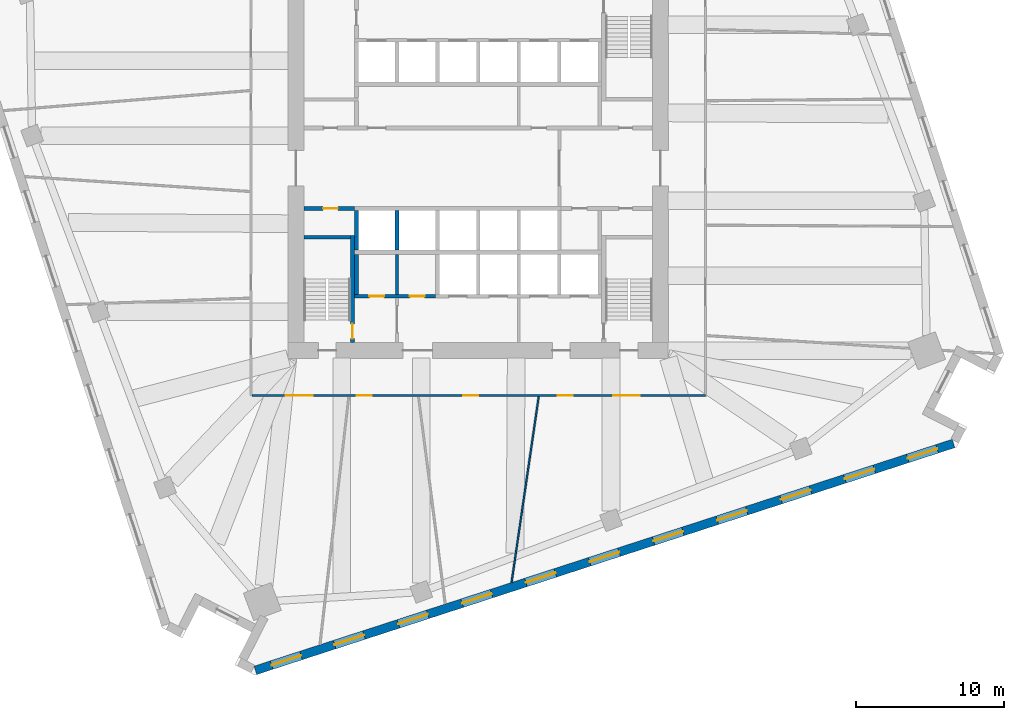
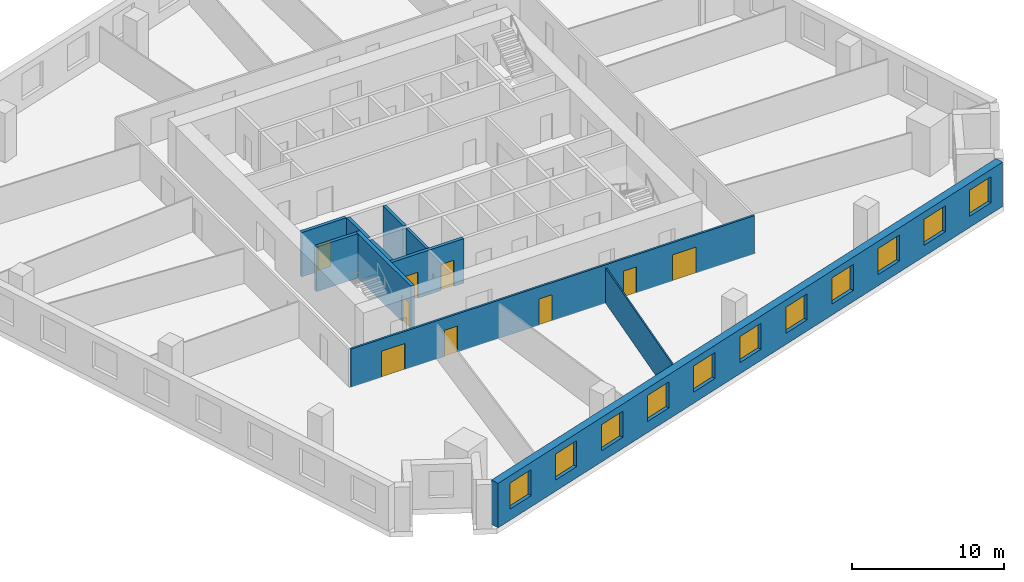
# One storey, part 6 of 12: 11 walls, 11 windows, 9 doors, 20 openings.
"""IFC4 building model written with IfcOpenShell, lengths in metres."""

from ifc_helpers import new_model, si_unit, direction, frame, frame_2d, origin, place, context, subcontext, project, spatial, rectangle, extrude, material, layer, layer_set, type_object, element, fill, save


model = new_model("IFC4")

# Units and contexts
model_context = context("Model", 3, precision=1e-05, world=origin(), true_north=direction((0.0, 1.0)))
body_context = subcontext(model_context, "Body", "Model", "MODEL_VIEW")
ifc_project = project(units=[si_unit("LENGTHUNIT", "METRE"), si_unit("AREAUNIT", "SQUARE_METRE"), si_unit("VOLUMEUNIT", "CUBIC_METRE"), si_unit("PLANEANGLEUNIT", "RADIAN"), si_unit("MASSUNIT", "GRAM", prefix="KILO")], contexts=[model_context])

# Site, building, storey
site_placement = place(None, origin())
site = spatial("IfcSite", under=ifc_project, at=site_placement, CompositionType="ELEMENT")
building_placement = place(site_placement, origin())
building = spatial("IfcBuilding", under=site, at=building_placement, Name="Dilmun Exchange Tower", CompositionType="ELEMENT")
storey_placement = place(building_placement, frame((0.0, 0.0, 98.10009765625)))
storey = spatial("IfcBuildingStorey", under=building, at=storey_placement, Name="L22", CompositionType="ELEMENT", Elevation=98.10009765625)

# Wall
ifc_material_1 = material(Name="Concrete C40/50", Category="concrete")
ifc_layer_1 = layer(ifc_material_1, 0.199951171875)
ifc_layer_set_1 = layer_set([ifc_layer_1], Name="Concrete C40/50")
wall_type_1 = type_object("IfcWallType", Name="Core partition wall 200", PredefinedType="PARTITIONING", material=ifc_layer_set_1)
wall_1_placement = place(storey_placement, frame((-5.5, -8.544921875, 0.0), z_axis=(0.0, 0.0, 1.0), x_axis=(0.0, 1.0, 0.0)))
element("IfcWall", 1, at=wall_1_placement, inside=storey, type_object=wall_type_1, Name="L22 core partition wall 05", PredefinedType="PARTITIONING", context=body_context, shape_type="SweptSolid", body=[
    extrude(rectangle(XDim=2.68994140625, YDim=0.199951171875, at=frame_2d((1.344970703125, 0.0))), origin(), (0.0, 0.0, 1.0), 3.579833984375),
])

# Wall, openings, doors
ifc_layer_2 = layer(ifc_material_1, 0.25)
ifc_layer_set_2 = layer_set([ifc_layer_2], Name="Concrete C40/50")
wall_type_2 = type_object("IfcWallType", Name="Core partition wall 250", PredefinedType="PARTITIONING", material=ifc_layer_set_2)
wall_2_placement = place(storey_placement, frame((-8.3701171875, -8.675048828125, 0.0), z_axis=(0.0, 0.0, 1.0), x_axis=(1.0, 0.0, 0.0)))
wall_2 = element("IfcWall", 2, at=wall_2_placement, inside=storey, type_object=wall_type_2, Name="L22 core partition wall 03", PredefinedType="PARTITIONING", context=body_context, shape_type="SweptSolid", body=[
    extrude(rectangle(XDim=5.490234375, YDim=0.25, at=frame_2d((2.7451171875, 0.0))), origin(), (0.0, 0.0, 1.0), 3.579833984375),
])
opening_1_placement = place(wall_2_placement, frame((0.9951171875, 0.0, 0.0)))
opening_1 = element("IfcOpeningElement", 3, at=opening_1_placement, cuts=wall_2, Name="Opening CD4", PredefinedType="OPENING", context=body_context, shape_type="SweptSolid", body=[
    extrude(rectangle(XDim=1.0, YDim=2.10009765625, at=frame_2d((0.5, 1.050048828125))), frame((0.0, 0.135009765625, 0.0), z_axis=(0.0, -1.0, 0.0), x_axis=(1.0, 0.0, 0.0)), (0.0, 0.0, 1.0), 0.27001953125),
])
opening_2_placement = place(wall_2_placement, frame((3.7451171875, 0.0, 0.0)))
opening_2 = element("IfcOpeningElement", 4, at=opening_2_placement, cuts=wall_2, Name="Opening CD4", PredefinedType="OPENING", context=body_context, shape_type="SweptSolid", body=[
    extrude(rectangle(XDim=1.0, YDim=2.10009765625, at=frame_2d((0.5, 1.050048828125))), frame((0.0, 0.135009765625, 0.0), z_axis=(0.0, -1.0, 0.0), x_axis=(1.0, 0.0, 0.0)), (0.0, 0.0, 1.0), 0.27001953125),
])
ifc_material_2 = material(Name="Fire-rated steel door set", Category="steel")
door_type_1 = type_object("IfcDoorType", Name="Core room door 1000x2100", OperationType="SINGLE_SWING_LEFT", PredefinedType="DOOR", material=ifc_material_2)
door_1_placement = place(opening_1_placement, origin())
door_1 = element("IfcDoor", 5, at=door_1_placement, inside=storey, type_object=door_type_1, Name="L22 door Male WC", OperationType="SINGLE_SWING_LEFT", OverallHeight=2.10009765625, OverallWidth=1.0, PredefinedType="DOOR", context=body_context, shape_type="SweptSolid", body=[
    extrude(rectangle(XDim=1.0, YDim=2.10009765625, at=frame_2d((0.5, 1.050048828125))), frame((0.0, 0.02490234375, 0.0), z_axis=(0.0, -1.0, 0.0), x_axis=(1.0, 0.0, 0.0)), (0.0, 0.0, 1.0), 0.050048828125),
])
fill(opening_1, door_1)
door_2_placement = place(opening_2_placement, origin())
door_2 = element("IfcDoor", 6, at=door_2_placement, inside=storey, type_object=door_type_1, Name="L22 door Female WC", OperationType="SINGLE_SWING_LEFT", OverallHeight=2.10009765625, OverallWidth=1.0, PredefinedType="DOOR", context=body_context, shape_type="SweptSolid", body=[
    extrude(rectangle(XDim=1.0, YDim=2.10009765625, at=frame_2d((0.5, 1.050048828125))), frame((0.0, 0.02490234375, 0.0), z_axis=(0.0, -1.0, 0.0), x_axis=(1.0, 0.0, 0.0)), (0.0, 0.0, 1.0), 0.050048828125),
])
fill(opening_2, door_2)

# Wall
wall_3_placement = place(storey_placement, frame((-8.25, -8.544921875, 0.0), z_axis=(0.0, 0.0, 1.0), x_axis=(0.0, 1.0, 0.0)))
element("IfcWall", 7, at=wall_3_placement, inside=storey, type_object=wall_type_2, Name="L22 core partition wall 04", PredefinedType="PARTITIONING", context=body_context, shape_type="SweptSolid", body=[
    extrude(rectangle(XDim=2.68994140625, YDim=0.25, at=frame_2d((1.344970703125, 0.0))), origin(), (0.0, 0.0, 1.0), 3.579833984375),
])

# Wall, opening, door
wall_4_placement = place(storey_placement, frame((-11.794921875, -2.72509765625, 0.0), z_axis=(0.0, 0.0, 1.0), x_axis=(1.0, 0.0, 0.0)))
wall_4 = element("IfcWall", 8, at=wall_4_placement, inside=storey, type_object=wall_type_2, Name="L22 core partition wall 07", PredefinedType="PARTITIONING", context=body_context, shape_type="SweptSolid", body=[
    extrude(rectangle(XDim=3.4150390625, YDim=0.25, at=frame_2d((1.70751953125, 0.0))), origin(), (0.0, 0.0, 1.0), 3.579833984375),
])
opening_3_placement = place(wall_4_placement, frame((1.294921875, 0.0, 0.0)))
opening_3 = element("IfcOpeningElement", 9, at=opening_3_placement, cuts=wall_4, Name="Opening CD4", PredefinedType="OPENING", context=body_context, shape_type="SweptSolid", body=[
    extrude(rectangle(XDim=1.0, YDim=2.10009765625, at=frame_2d((0.5, 1.050048828125))), frame((0.0, 0.135009765625, 0.0), z_axis=(0.0, -1.0, 0.0), x_axis=(1.0, 0.0, 0.0)), (0.0, 0.0, 1.0), 0.27001953125),
])
door_3_placement = place(opening_3_placement, origin())
door_3 = element("IfcDoor", 10, at=door_3_placement, inside=storey, type_object=door_type_1, Name="L22 door Accessible WC", OperationType="SINGLE_SWING_LEFT", OverallHeight=2.10009765625, OverallWidth=1.0, PredefinedType="DOOR", context=body_context, shape_type="SweptSolid", body=[
    extrude(rectangle(XDim=1.0, YDim=2.10009765625, at=frame_2d((0.5, 1.050048828125))), frame((0.0, 0.02490234375, 0.0), z_axis=(0.0, -1.0, 0.0), x_axis=(1.0, 0.0, 0.0)), (0.0, 0.0, 1.0), 0.050048828125),
])
fill(opening_3, door_3)

# Wall, openings, doors
ifc_material_3 = material(Name="Corridor wall 150")
ifc_layer_3 = layer(ifc_material_3, 0.14990234375)
ifc_layer_set_3 = layer_set([ifc_layer_3], Name="Corridor wall 150")
wall_type_3 = type_object("IfcWallType", Name="Corridor wall 150", PredefinedType="PARTITIONING", material=ifc_layer_set_3)
wall_5_placement = place(storey_placement, frame((-15.324951171875, -15.39990234375, 0.0), z_axis=(0.0, 0.0, 1.0), x_axis=(1.0, 0.0, 0.0)))
wall_5 = element("IfcWall", 11, at=wall_5_placement, inside=storey, type_object=wall_type_3, Name="Corridor wall", PredefinedType="PARTITIONING", context=body_context, shape_type="SweptSolid", body=[
    extrude(rectangle(XDim=30.724853515625, YDim=0.14990234375, at=frame_2d((15.3623046875, 0.0))), origin(), (0.0, 0.0, 1.0), 3.079833984375),
])
opening_4_placement = place(wall_5_placement, frame((2.300048828125, 0.0, 0.0)))
opening_4 = element("IfcOpeningElement", 12, at=opening_4_placement, cuts=wall_5, Name="Opening TF20-D06", PredefinedType="OPENING", context=body_context, shape_type="SweptSolid", body=[
    extrude(rectangle(XDim=1.800048828125, YDim=2.10009765625, at=frame_2d((0.89990234375, 1.050048828125))), frame((0.0, 0.0849609375, 0.0), z_axis=(0.0, -1.0, 0.0), x_axis=(1.0, 0.0, 0.0)), (0.0, 0.0, 1.0), 0.169921875),
])
opening_5_placement = place(wall_5_placement, frame((7.10888671875, 0.0, 0.0)))
opening_5 = element("IfcOpeningElement", 13, at=opening_5_placement, cuts=wall_5, Name="Opening TF20-D08", PredefinedType="OPENING", context=body_context, shape_type="SweptSolid", body=[
    extrude(rectangle(XDim=1.0, YDim=2.10009765625, at=frame_2d((0.5, 1.050048828125))), frame((0.0, 0.0849609375, 0.0), z_axis=(0.0, -1.0, 0.0), x_axis=(1.0, 0.0, 0.0)), (0.0, 0.0, 1.0), 0.169921875),
])
opening_6_placement = place(wall_5_placement, frame((14.3203125, 0.0, 0.0)))
opening_6 = element("IfcOpeningElement", 14, at=opening_6_placement, cuts=wall_5, Name="Opening TF20-D11", PredefinedType="OPENING", context=body_context, shape_type="SweptSolid", body=[
    extrude(rectangle(XDim=1.0, YDim=2.10009765625, at=frame_2d((0.5, 1.050048828125))), frame((0.0, 0.0849609375, 0.0), z_axis=(0.0, -1.0, 0.0), x_axis=(1.0, 0.0, 0.0)), (0.0, 0.0, 1.0), 0.169921875),
])
opening_7_placement = place(wall_5_placement, frame((24.48486328125, 0.0, 0.0)))
opening_7 = element("IfcOpeningElement", 15, at=opening_7_placement, cuts=wall_5, Name="Opening TF20-D13", PredefinedType="OPENING", context=body_context, shape_type="SweptSolid", body=[
    extrude(rectangle(XDim=1.800048828125, YDim=2.10009765625, at=frame_2d((0.89990234375, 1.050048828125))), frame((0.0, 0.0849609375, 0.0), z_axis=(0.0, -1.0, 0.0), x_axis=(1.0, 0.0, 0.0)), (0.0, 0.0, 1.0), 0.169921875),
])
opening_8_placement = place(wall_5_placement, frame((20.73486328125, 0.0, 0.0)))
opening_8 = element("IfcOpeningElement", 16, at=opening_8_placement, cuts=wall_5, Name="Opening TF20-D14", PredefinedType="OPENING", context=body_context, shape_type="SweptSolid", body=[
    extrude(rectangle(XDim=1.0, YDim=2.10009765625, at=frame_2d((0.5, 1.050048828125))), frame((0.0, 0.0849609375, 0.0), z_axis=(0.0, -1.0, 0.0), x_axis=(1.0, 0.0, 0.0)), (0.0, 0.0, 1.0), 0.169921875),
])
ifc_material_4 = material(Name="Fire door 1000 x 2100")
door_type_2 = type_object("IfcDoorType", Name="Fire door 1000 x 2100", OperationType="NOTDEFINED", PredefinedType="DOOR", material=ifc_material_4)
door_4_placement = place(opening_5_placement, frame((1.0, 0.0, 0.0), z_axis=(0.0, 0.0, 1.0), x_axis=(-1.0, 0.0, 0.0)))
door_4 = element("IfcDoor", 17, at=door_4_placement, inside=storey, type_object=door_type_2, Name="Door TF20-D08", OperationType="SINGLE_SWING_LEFT", OverallHeight=2.10009765625, OverallWidth=1.0, PredefinedType="DOOR", context=body_context, shape_type="SweptSolid", body=[
    extrude(rectangle(XDim=1.0, YDim=2.10009765625, at=frame_2d((0.5, 1.050048828125))), frame((0.0, 0.02490234375, 0.0), z_axis=(0.0, -1.0, 0.0), x_axis=(1.0, 0.0, 0.0)), (0.0, 0.0, 1.0), 0.050048828125),
])
fill(opening_5, door_4)
door_5_placement = place(opening_6_placement, frame((1.0, 0.0, 0.0), z_axis=(0.0, 0.0, 1.0), x_axis=(-1.0, 0.0, 0.0)))
door_5 = element("IfcDoor", 18, at=door_5_placement, inside=storey, type_object=door_type_2, Name="Door TF20-D11", OperationType="SINGLE_SWING_LEFT", OverallHeight=2.10009765625, OverallWidth=1.0, PredefinedType="DOOR", context=body_context, shape_type="SweptSolid", body=[
    extrude(rectangle(XDim=1.0, YDim=2.10009765625, at=frame_2d((0.5, 1.050048828125))), frame((0.0, 0.02490234375, 0.0), z_axis=(0.0, -1.0, 0.0), x_axis=(1.0, 0.0, 0.0)), (0.0, 0.0, 1.0), 0.050048828125),
])
fill(opening_6, door_5)
door_6_placement = place(opening_8_placement, frame((1.0, 0.0, 0.0), z_axis=(0.0, 0.0, 1.0), x_axis=(-1.0, 0.0, 0.0)))
door_6 = element("IfcDoor", 19, at=door_6_placement, inside=storey, type_object=door_type_2, Name="Door TF20-D14", OperationType="SINGLE_SWING_LEFT", OverallHeight=2.10009765625, OverallWidth=1.0, PredefinedType="DOOR", context=body_context, shape_type="SweptSolid", body=[
    extrude(rectangle(XDim=1.0, YDim=2.10009765625, at=frame_2d((0.5, 1.050048828125))), frame((0.0, 0.02490234375, 0.0), z_axis=(0.0, -1.0, 0.0), x_axis=(1.0, 0.0, 0.0)), (0.0, 0.0, 1.0), 0.050048828125),
])
fill(opening_8, door_6)
ifc_material_5 = material(Name="Fire door pair 1800 x 2100")
door_type_3 = type_object("IfcDoorType", Name="Fire door pair 1800 x 2100", OperationType="NOTDEFINED", PredefinedType="DOOR", material=ifc_material_5)
door_7_placement = place(opening_4_placement, frame((1.800048828125, 0.0, 0.0), z_axis=(0.0, 0.0, 1.0), x_axis=(-1.0, 0.0, 0.0)))
door_7 = element("IfcDoor", 20, at=door_7_placement, inside=storey, type_object=door_type_3, Name="Door TF20-D06", OperationType="DOUBLE_DOOR_SINGLE_SWING", OverallHeight=2.10009765625, OverallWidth=1.800048828125, PredefinedType="DOOR", context=body_context, shape_type="SweptSolid", body=[
    extrude(rectangle(XDim=1.800048828125, YDim=2.10009765625, at=frame_2d((0.89990234375, 1.050048828125))), frame((0.0, 0.02490234375, 0.0), z_axis=(0.0, -1.0, 0.0), x_axis=(1.0, 0.0, 0.0)), (0.0, 0.0, 1.0), 0.050048828125),
])
fill(opening_4, door_7)
door_8_placement = place(opening_7_placement, frame((1.800048828125, 0.0, 0.0), z_axis=(0.0, 0.0, 1.0), x_axis=(-1.0, 0.0, 0.0)))
door_8 = element("IfcDoor", 21, at=door_8_placement, inside=storey, type_object=door_type_3, Name="Door TF20-D13", OperationType="DOUBLE_DOOR_SINGLE_SWING", OverallHeight=2.10009765625, OverallWidth=1.800048828125, PredefinedType="DOOR", context=body_context, shape_type="SweptSolid", body=[
    extrude(rectangle(XDim=1.800048828125, YDim=2.10009765625, at=frame_2d((0.89990234375, 1.050048828125))), frame((0.0, 0.02490234375, 0.0), z_axis=(0.0, -1.0, 0.0), x_axis=(1.0, 0.0, 0.0)), (0.0, 0.0, 1.0), 0.050048828125),
])
fill(opening_7, door_8)

# Walls
ifc_layer_4 = layer(ifc_material_1, 0.25)
ifc_layer_set_4 = layer_set([ifc_layer_4], Name="Concrete C40/50")
wall_type_4 = type_object("IfcWallType", Name="Lift shaft wall 250", PredefinedType="SOLIDWALL", material=ifc_layer_set_4)
for number, where, z_axis, x_axis, name in (
    (22, (-8.25, -5.550048828125, 0.0), (0.0, 0.0, 1.0), (0.0, 1.0, 0.0), "L22 lift shaft divider S10"),
    (23, (-5.5, -5.550048828125, 0.0), (0.0, 0.0, 1.0), (0.0, 1.0, 0.0), "L22 lift shaft divider S11"),
):
    element("IfcWall", number, at=place(storey_placement, frame(where, z_axis=z_axis, x_axis=x_axis)), inside=storey, type_object=wall_type_4, Name=name, PredefinedType="SOLIDWALL", context=body_context, shape_type="SweptSolid", body=[
        extrude(rectangle(XDim=2.699951171875, YDim=0.25, at=frame_2d((1.35009765625, 0.0))), origin(), (0.0, 0.0, 1.0), 3.579833984375),
    ])
ifc_material_6 = material(Name="Partition 100")
ifc_layer_5 = layer(ifc_material_6, 0.10009765625)
ifc_layer_set_5 = layer_set([ifc_layer_5], Name="Partition 100")
wall_type_5 = type_object("IfcWallType", Name="Partition 100", PredefinedType="PARTITIONING", material=ifc_layer_set_5)
wall_6_placement = place(storey_placement, frame((2.26416015625, -28.072265625, 0.0), z_axis=(0.0, 0.0, 1.0), x_axis=(0.144598494154, 0.989490412025, 0.0)))
element("IfcWall", 24, at=wall_6_placement, inside=storey, type_object=wall_type_5, Name="Partition", PredefinedType="PARTITIONING", context=body_context, shape_type="SweptSolid", body=[
    extrude(rectangle(XDim=12.723876953125, YDim=0.10009765625, at=frame_2d((6.36181640625, 0.0))), origin(), (0.0, 0.0, 1.0), 2.829833984375),
])

# Wall, openings, windows
ifc_material_7 = material(Name="Precast concrete C50/60", Category="concrete")
ifc_layer_6 = layer(ifc_material_7, 0.60009765625)
ifc_layer_set_6 = layer_set([ifc_layer_6], Name="Precast concrete C50/60")
wall_type_6 = type_object("IfcWallType", Name="Precast stone-clad wall 600", PredefinedType="STANDARD", material=ifc_layer_set_6)
wall_7_placement = place(storey_placement, frame((-15.098388671875, -34.03125, 0.0), z_axis=(0.0, 0.0, 1.0), x_axis=(0.951056568917, 0.309016832421, 0.0)))
wall_7 = element("IfcWall", 25, at=wall_7_placement, inside=storey, type_object=wall_type_6, Name="Facade wall L22-15", PredefinedType="STANDARD", context=body_context, shape_type="SweptSolid", body=[
    extrude(rectangle(XDim=49.75146484375, YDim=0.60009765625, at=frame_2d((24.875732421875, 0.0))), origin(), (0.0, 0.0, 1.0), 3.579833984375),
])
opening_9_placement = place(wall_7_placement, frame((1.16064453125, 0.0, 0.89990234375)))
opening_9 = element("IfcOpeningElement", 26, at=opening_9_placement, cuts=wall_7, Name="Opening W210-210", PredefinedType="OPENING", context=body_context, shape_type="SweptSolid", body=[
    extrude(rectangle(XDim=2.10009765625, YDim=2.10009765625, at=frame_2d((1.050048828125, 1.050048828125))), frame((0.0, 0.31005859375, 0.0), z_axis=(0.0, -1.0, 0.0), x_axis=(1.0, 0.0, 0.0)), (0.0, 0.0, 1.0), 0.6201171875),
])
opening_10_placement = place(wall_7_placement, frame((5.643798828125, 0.0, 0.89990234375)))
opening_10 = element("IfcOpeningElement", 27, at=opening_10_placement, cuts=wall_7, Name="Opening W210-210", PredefinedType="OPENING", context=body_context, shape_type="SweptSolid", body=[
    extrude(rectangle(XDim=2.10009765625, YDim=2.10009765625, at=frame_2d((1.050048828125, 1.050048828125))), frame((0.0, 0.31005859375, 0.0), z_axis=(0.0, -1.0, 0.0), x_axis=(1.0, 0.0, 0.0)), (0.0, 0.0, 1.0), 0.6201171875),
])
opening_11_placement = place(wall_7_placement, frame((10.189453125, 0.0, 0.89990234375)))
opening_11 = element("IfcOpeningElement", 28, at=opening_11_placement, cuts=wall_7, Name="Opening W210-210", PredefinedType="OPENING", context=body_context, shape_type="SweptSolid", body=[
    extrude(rectangle(XDim=2.10009765625, YDim=2.10009765625, at=frame_2d((1.050048828125, 1.050048828125))), frame((0.0, 0.31005859375, 0.0), z_axis=(0.0, -1.0, 0.0), x_axis=(1.0, 0.0, 0.0)), (0.0, 0.0, 1.0), 0.6201171875),
])
opening_12_placement = place(wall_7_placement, frame((14.73486328125, 0.0, 0.89990234375)))
opening_12 = element("IfcOpeningElement", 29, at=opening_12_placement, cuts=wall_7, Name="Opening W210-210", PredefinedType="OPENING", context=body_context, shape_type="SweptSolid", body=[
    extrude(rectangle(XDim=2.10009765625, YDim=2.10009765625, at=frame_2d((1.050048828125, 1.050048828125))), frame((0.0, 0.31005859375, 0.0), z_axis=(0.0, -1.0, 0.0), x_axis=(1.0, 0.0, 0.0)), (0.0, 0.0, 1.0), 0.6201171875),
])
opening_13_placement = place(wall_7_placement, frame((19.2802734375, 0.0, 0.89990234375)))
opening_13 = element("IfcOpeningElement", 30, at=opening_13_placement, cuts=wall_7, Name="Opening W210-210", PredefinedType="OPENING", context=body_context, shape_type="SweptSolid", body=[
    extrude(rectangle(XDim=2.10009765625, YDim=2.10009765625, at=frame_2d((1.050048828125, 1.050048828125))), frame((0.0, 0.31005859375, 0.0), z_axis=(0.0, -1.0, 0.0), x_axis=(1.0, 0.0, 0.0)), (0.0, 0.0, 1.0), 0.6201171875),
])
opening_14_placement = place(wall_7_placement, frame((23.82568359375, 0.0, 0.89990234375)))
opening_14 = element("IfcOpeningElement", 31, at=opening_14_placement, cuts=wall_7, Name="Opening W210-210", PredefinedType="OPENING", context=body_context, shape_type="SweptSolid", body=[
    extrude(rectangle(XDim=2.10009765625, YDim=2.10009765625, at=frame_2d((1.050048828125, 1.050048828125))), frame((0.0, 0.31005859375, 0.0), z_axis=(0.0, -1.0, 0.0), x_axis=(1.0, 0.0, 0.0)), (0.0, 0.0, 1.0), 0.6201171875),
])
opening_15_placement = place(wall_7_placement, frame((28.37109375, 0.0, 0.89990234375)))
opening_15 = element("IfcOpeningElement", 32, at=opening_15_placement, cuts=wall_7, Name="Opening W210-210", PredefinedType="OPENING", context=body_context, shape_type="SweptSolid", body=[
    extrude(rectangle(XDim=2.10009765625, YDim=2.10009765625, at=frame_2d((1.050048828125, 1.050048828125))), frame((0.0, 0.31005859375, 0.0), z_axis=(0.0, -1.0, 0.0), x_axis=(1.0, 0.0, 0.0)), (0.0, 0.0, 1.0), 0.6201171875),
])
opening_16_placement = place(wall_7_placement, frame((32.91650390625, 0.0, 0.89990234375)))
opening_16 = element("IfcOpeningElement", 33, at=opening_16_placement, cuts=wall_7, Name="Opening W210-210", PredefinedType="OPENING", context=body_context, shape_type="SweptSolid", body=[
    extrude(rectangle(XDim=2.10009765625, YDim=2.10009765625, at=frame_2d((1.050048828125, 1.050048828125))), frame((0.0, 0.31005859375, 0.0), z_axis=(0.0, -1.0, 0.0), x_axis=(1.0, 0.0, 0.0)), (0.0, 0.0, 1.0), 0.6201171875),
])
opening_17_placement = place(wall_7_placement, frame((37.462158203125, 0.0, 0.89990234375)))
opening_17 = element("IfcOpeningElement", 34, at=opening_17_placement, cuts=wall_7, Name="Opening W210-210", PredefinedType="OPENING", context=body_context, shape_type="SweptSolid", body=[
    extrude(rectangle(XDim=2.10009765625, YDim=2.10009765625, at=frame_2d((1.050048828125, 1.050048828125))), frame((0.0, 0.31005859375, 0.0), z_axis=(0.0, -1.0, 0.0), x_axis=(1.0, 0.0, 0.0)), (0.0, 0.0, 1.0), 0.6201171875),
])
opening_18_placement = place(wall_7_placement, frame((42.007568359375, 0.0, 0.89990234375)))
opening_18 = element("IfcOpeningElement", 35, at=opening_18_placement, cuts=wall_7, Name="Opening W210-210", PredefinedType="OPENING", context=body_context, shape_type="SweptSolid", body=[
    extrude(rectangle(XDim=2.10009765625, YDim=2.10009765625, at=frame_2d((1.050048828125, 1.050048828125))), frame((0.0, 0.31005859375, 0.0), z_axis=(0.0, -1.0, 0.0), x_axis=(1.0, 0.0, 0.0)), (0.0, 0.0, 1.0), 0.6201171875),
])
opening_19_placement = place(wall_7_placement, frame((46.490966796875, 0.0, 0.89990234375)))
opening_19 = element("IfcOpeningElement", 36, at=opening_19_placement, cuts=wall_7, Name="Opening W210-210", PredefinedType="OPENING", context=body_context, shape_type="SweptSolid", body=[
    extrude(rectangle(XDim=2.10009765625, YDim=2.10009765625, at=frame_2d((1.050048828125, 1.050048828125))), frame((0.0, 0.31005859375, 0.0), z_axis=(0.0, -1.0, 0.0), x_axis=(1.0, 0.0, 0.0)), (0.0, 0.0, 1.0), 0.6201171875),
])
ifc_material_8 = material(Name="Clear low-emissivity glass in aluminium frame", Category="aluminium")
window_type = type_object("IfcWindowType", Name="Punched window 2100 x 2100", PartitioningType="DOUBLE_PANEL_VERTICAL", PredefinedType="WINDOW", material=ifc_material_8)
window_1_placement = place(opening_9_placement, origin())
window_1 = element("IfcWindow", 37, at=window_1_placement, inside=storey, type_object=window_type, Name="Window 16.1", OverallHeight=2.10009765625, OverallWidth=2.10009765625, PartitioningType="SINGLE_PANEL", PredefinedType="WINDOW", context=body_context, shape_type="SweptSolid", body=[
    extrude(rectangle(XDim=2.10009765625, YDim=2.10009765625, at=frame_2d((1.050048828125, 1.050048828125))), frame((0.0, 0.030029296875, 0.0), z_axis=(0.0, -1.0, 0.0), x_axis=(1.0, 0.0, 0.0)), (0.0, 0.0, 1.0), 0.06005859375),
])
fill(opening_9, window_1)
window_2_placement = place(opening_10_placement, origin())
window_2 = element("IfcWindow", 38, at=window_2_placement, inside=storey, type_object=window_type, Name="Window 16.2", OverallHeight=2.10009765625, OverallWidth=2.10009765625, PartitioningType="SINGLE_PANEL", PredefinedType="WINDOW", context=body_context, shape_type="SweptSolid", body=[
    extrude(rectangle(XDim=2.10009765625, YDim=2.10009765625, at=frame_2d((1.050048828125, 1.050048828125))), frame((0.0, 0.030029296875, 0.0), z_axis=(0.0, -1.0, 0.0), x_axis=(1.0, 0.0, 0.0)), (0.0, 0.0, 1.0), 0.06005859375),
])
fill(opening_10, window_2)
window_3_placement = place(opening_11_placement, origin())
window_3 = element("IfcWindow", 39, at=window_3_placement, inside=storey, type_object=window_type, Name="Window 16.3", OverallHeight=2.10009765625, OverallWidth=2.10009765625, PartitioningType="SINGLE_PANEL", PredefinedType="WINDOW", context=body_context, shape_type="SweptSolid", body=[
    extrude(rectangle(XDim=2.10009765625, YDim=2.10009765625, at=frame_2d((1.050048828125, 1.050048828125))), frame((0.0, 0.030029296875, 0.0), z_axis=(0.0, -1.0, 0.0), x_axis=(1.0, 0.0, 0.0)), (0.0, 0.0, 1.0), 0.06005859375),
])
fill(opening_11, window_3)
window_4_placement = place(opening_12_placement, origin())
window_4 = element("IfcWindow", 40, at=window_4_placement, inside=storey, type_object=window_type, Name="Window 16.4", OverallHeight=2.10009765625, OverallWidth=2.10009765625, PartitioningType="SINGLE_PANEL", PredefinedType="WINDOW", context=body_context, shape_type="SweptSolid", body=[
    extrude(rectangle(XDim=2.10009765625, YDim=2.10009765625, at=frame_2d((1.050048828125, 1.050048828125))), frame((0.0, 0.030029296875, 0.0), z_axis=(0.0, -1.0, 0.0), x_axis=(1.0, 0.0, 0.0)), (0.0, 0.0, 1.0), 0.06005859375),
])
fill(opening_12, window_4)
window_5_placement = place(opening_13_placement, origin())
window_5 = element("IfcWindow", 41, at=window_5_placement, inside=storey, type_object=window_type, Name="Window 16.5", OverallHeight=2.10009765625, OverallWidth=2.10009765625, PartitioningType="SINGLE_PANEL", PredefinedType="WINDOW", context=body_context, shape_type="SweptSolid", body=[
    extrude(rectangle(XDim=2.10009765625, YDim=2.10009765625, at=frame_2d((1.050048828125, 1.050048828125))), frame((0.0, 0.030029296875, 0.0), z_axis=(0.0, -1.0, 0.0), x_axis=(1.0, 0.0, 0.0)), (0.0, 0.0, 1.0), 0.06005859375),
])
fill(opening_13, window_5)
window_6_placement = place(opening_14_placement, origin())
window_6 = element("IfcWindow", 42, at=window_6_placement, inside=storey, type_object=window_type, Name="Window 16.6", OverallHeight=2.10009765625, OverallWidth=2.10009765625, PartitioningType="SINGLE_PANEL", PredefinedType="WINDOW", context=body_context, shape_type="SweptSolid", body=[
    extrude(rectangle(XDim=2.10009765625, YDim=2.10009765625, at=frame_2d((1.050048828125, 1.050048828125))), frame((0.0, 0.030029296875, 0.0), z_axis=(0.0, -1.0, 0.0), x_axis=(1.0, 0.0, 0.0)), (0.0, 0.0, 1.0), 0.06005859375),
])
fill(opening_14, window_6)
window_7_placement = place(opening_15_placement, origin())
window_7 = element("IfcWindow", 43, at=window_7_placement, inside=storey, type_object=window_type, Name="Window 16.7", OverallHeight=2.10009765625, OverallWidth=2.10009765625, PartitioningType="SINGLE_PANEL", PredefinedType="WINDOW", context=body_context, shape_type="SweptSolid", body=[
    extrude(rectangle(XDim=2.10009765625, YDim=2.10009765625, at=frame_2d((1.050048828125, 1.050048828125))), frame((0.0, 0.030029296875, 0.0), z_axis=(0.0, -1.0, 0.0), x_axis=(1.0, 0.0, 0.0)), (0.0, 0.0, 1.0), 0.06005859375),
])
fill(opening_15, window_7)
window_8_placement = place(opening_16_placement, origin())
window_8 = element("IfcWindow", 44, at=window_8_placement, inside=storey, type_object=window_type, Name="Window 16.8", OverallHeight=2.10009765625, OverallWidth=2.10009765625, PartitioningType="SINGLE_PANEL", PredefinedType="WINDOW", context=body_context, shape_type="SweptSolid", body=[
    extrude(rectangle(XDim=2.10009765625, YDim=2.10009765625, at=frame_2d((1.050048828125, 1.050048828125))), frame((0.0, 0.030029296875, 0.0), z_axis=(0.0, -1.0, 0.0), x_axis=(1.0, 0.0, 0.0)), (0.0, 0.0, 1.0), 0.06005859375),
])
fill(opening_16, window_8)
window_9_placement = place(opening_17_placement, origin())
window_9 = element("IfcWindow", 45, at=window_9_placement, inside=storey, type_object=window_type, Name="Window 16.9", OverallHeight=2.10009765625, OverallWidth=2.10009765625, PartitioningType="SINGLE_PANEL", PredefinedType="WINDOW", context=body_context, shape_type="SweptSolid", body=[
    extrude(rectangle(XDim=2.10009765625, YDim=2.10009765625, at=frame_2d((1.050048828125, 1.050048828125))), frame((0.0, 0.030029296875, 0.0), z_axis=(0.0, -1.0, 0.0), x_axis=(1.0, 0.0, 0.0)), (0.0, 0.0, 1.0), 0.06005859375),
])
fill(opening_17, window_9)
window_10_placement = place(opening_18_placement, origin())
window_10 = element("IfcWindow", 46, at=window_10_placement, inside=storey, type_object=window_type, Name="Window 16.10", OverallHeight=2.10009765625, OverallWidth=2.10009765625, PartitioningType="SINGLE_PANEL", PredefinedType="WINDOW", context=body_context, shape_type="SweptSolid", body=[
    extrude(rectangle(XDim=2.10009765625, YDim=2.10009765625, at=frame_2d((1.050048828125, 1.050048828125))), frame((0.0, 0.030029296875, 0.0), z_axis=(0.0, -1.0, 0.0), x_axis=(1.0, 0.0, 0.0)), (0.0, 0.0, 1.0), 0.06005859375),
])
fill(opening_18, window_10)
window_11_placement = place(opening_19_placement, origin())
window_11 = element("IfcWindow", 47, at=window_11_placement, inside=storey, type_object=window_type, Name="Window 16.11", OverallHeight=2.10009765625, OverallWidth=2.10009765625, PartitioningType="SINGLE_PANEL", PredefinedType="WINDOW", context=body_context, shape_type="SweptSolid", body=[
    extrude(rectangle(XDim=2.10009765625, YDim=2.10009765625, at=frame_2d((1.050048828125, 1.050048828125))), frame((0.0, 0.030029296875, 0.0), z_axis=(0.0, -1.0, 0.0), x_axis=(1.0, 0.0, 0.0)), (0.0, 0.0, 1.0), 0.06005859375),
])
fill(opening_19, window_11)

# Wall
ifc_layer_7 = layer(ifc_material_1, 0.25)
ifc_layer_set_7 = layer_set([ifc_layer_7], Name="Concrete C40/50")
wall_type_7 = type_object("IfcWallType", Name="Stair end wall 250", PredefinedType="SOLIDWALL", material=ifc_layer_set_7)
wall_8_placement = place(storey_placement, frame((-8.64990234375, -4.675048828125, 0.0), z_axis=(0.0, 0.0, 1.0), x_axis=(-1.0, 0.0, 0.0)))
element("IfcWall", 48, at=wall_8_placement, inside=storey, type_object=wall_type_7, Name="L22 ST2 far wall", PredefinedType="SOLIDWALL", context=body_context, shape_type="SweptSolid", body=[
    extrude(rectangle(XDim=3.150146484375, YDim=0.25, at=frame_2d((1.5751953125, 0.0))), origin(), (0.0, 0.0, 1.0), 3.579833984375),
])

# Wall, opening, door
ifc_layer_8 = layer(ifc_material_1, 0.27490234375)
ifc_layer_set_8 = layer_set([ifc_layer_8], Name="Concrete C40/50")
wall_type_8 = type_object("IfcWallType", Name="Stair wall 275", PredefinedType="SOLIDWALL", material=ifc_layer_set_8)
wall_9_placement = place(storey_placement, frame((-8.512451171875, -4.550048828125, 0.0), z_axis=(0.0, 0.0, 1.0), x_axis=(0.0, -1.0, 0.0)))
wall_9 = element("IfcWall", 49, at=wall_9_placement, inside=storey, type_object=wall_type_8, Name="L22 ST2 wall to lift block", PredefinedType="SOLIDWALL", context=body_context, shape_type="SweptSolid", body=[
    extrude(rectangle(XDim=7.25, YDim=0.27490234375, at=frame_2d((3.625, 0.0))), origin(), (0.0, 0.0, 1.0), 3.579833984375),
])
opening_20_placement = place(wall_9_placement, frame((6.0, 0.0, 0.0)))
opening_20 = element("IfcOpeningElement", 50, at=opening_20_placement, cuts=wall_9, Name="Opening CD4", PredefinedType="OPENING", context=body_context, shape_type="SweptSolid", body=[
    extrude(rectangle(XDim=1.0, YDim=2.10009765625, at=frame_2d((0.5, 1.050048828125))), frame((0.0, 0.1474609375, 0.0), z_axis=(0.0, -1.0, 0.0), x_axis=(1.0, 0.0, 0.0)), (0.0, 0.0, 1.0), 0.294921875),
])
door_9_placement = place(opening_20_placement, origin())
door_9 = element("IfcDoor", 51, at=door_9_placement, inside=storey, type_object=door_type_1, Name="L22 door ST2 from lobby", OperationType="SINGLE_SWING_LEFT", OverallHeight=2.10009765625, OverallWidth=1.0, PredefinedType="DOOR", context=body_context, shape_type="SweptSolid", body=[
    extrude(rectangle(XDim=1.0, YDim=2.10009765625, at=frame_2d((0.5, 1.050048828125))), frame((0.0, 0.02490234375, 0.0), z_axis=(0.0, -1.0, 0.0), x_axis=(1.0, 0.0, 0.0)), (0.0, 0.0, 1.0), 0.050048828125),
])
fill(opening_20, door_9)

save(model, "model.ifc")
